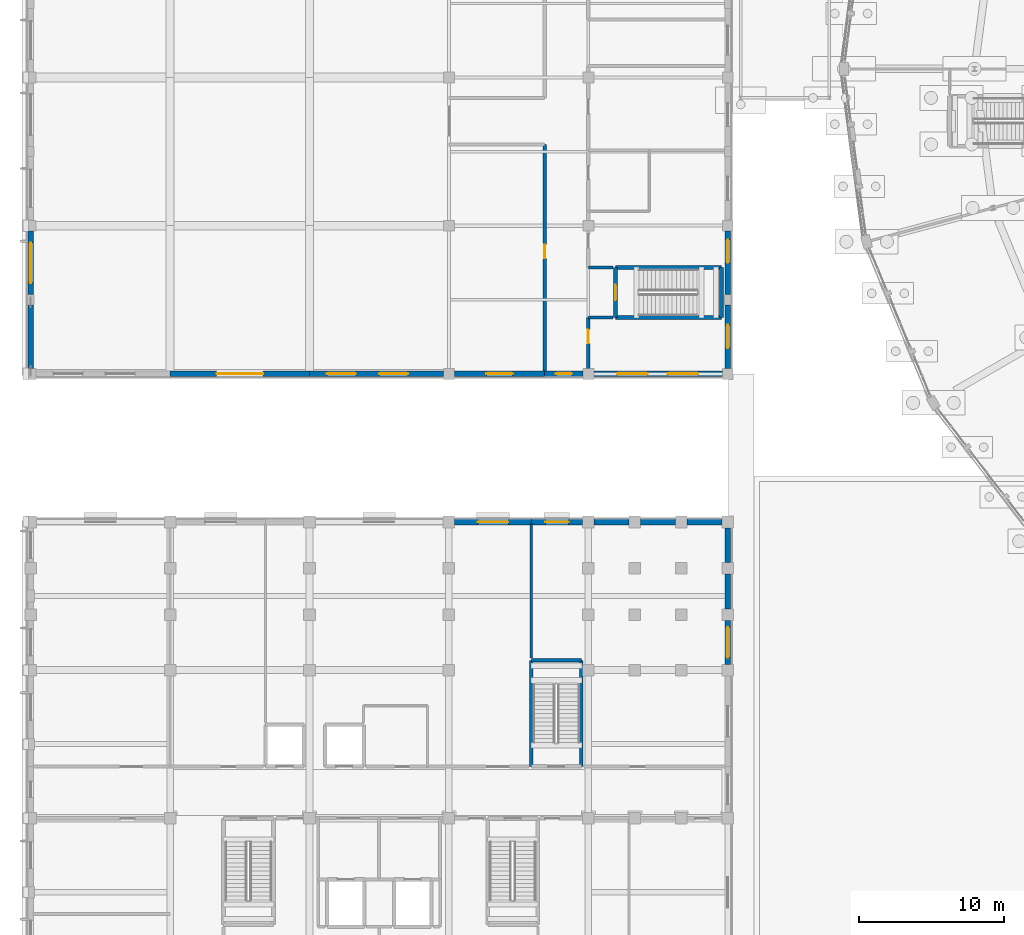
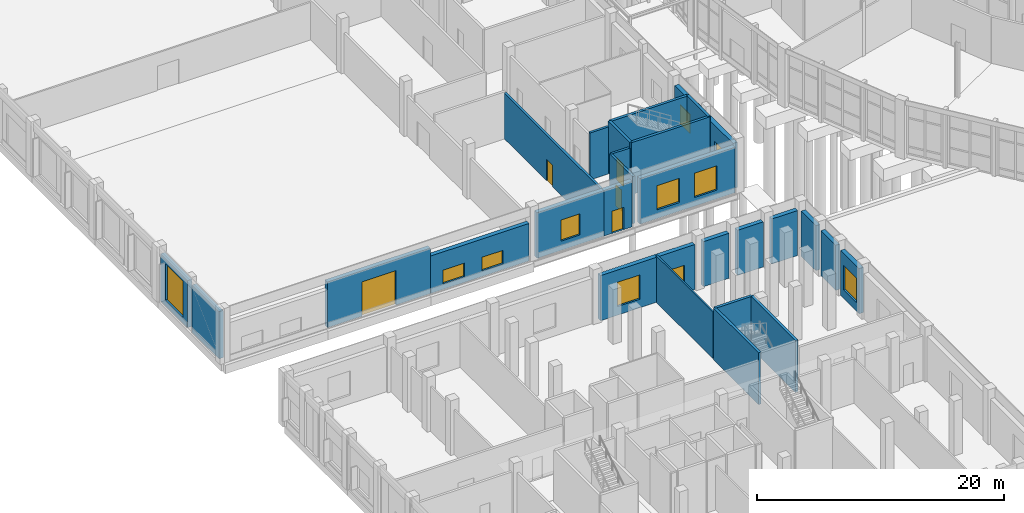
# One storey, part 103 of 137: 29 walls, 11 windows, 5 doors, 16 openings.
"""IFC4 building model written with IfcOpenShell, lengths in metres."""

from ifc_helpers import new_model, si_unit, direction, frame, frame_2d, origin, place, context, subcontext, project, spatial, rectangle, extrude, material, layer, layer_set, type_object, element, fill, save


model = new_model("IFC4")

# Units and contexts
model_context = context("Model", 3, precision=1e-05, world=origin(), true_north=direction((0.0, 1.0)))
body_context = subcontext(model_context, "Body", "Model", "MODEL_VIEW")
ifc_project = project(units=[si_unit("LENGTHUNIT", "METRE"), si_unit("AREAUNIT", "SQUARE_METRE"), si_unit("VOLUMEUNIT", "CUBIC_METRE"), si_unit("PLANEANGLEUNIT", "RADIAN"), si_unit("MASSUNIT", "GRAM", prefix="KILO")], contexts=[model_context])

# Site, building, storey
site_placement = place(None, origin())
site = spatial("IfcSite", under=ifc_project, at=site_placement, CompositionType="ELEMENT")
building_placement = place(site_placement, origin())
building = spatial("IfcBuilding", under=site, at=building_placement, Name="Vondelvale Polytechnic", CompositionType="ELEMENT")
storey_placement = place(building_placement, origin())
storey = spatial("IfcBuildingStorey", under=building, at=storey_placement, Name="L00", CompositionType="ELEMENT", Elevation=0.0)

# Walls
ifc_material_1 = material(Name="Concrete N40 (f'c = 40 MPa)", Category="concrete")
ifc_layer_1 = layer(ifc_material_1, 0.25)
ifc_layer_set_1 = layer_set([ifc_layer_1], Name="WL-CORE-250")
wall_type_1 = type_object("IfcWallType", Name="WL-CORE-250", PredefinedType="SOLIDWALL", material=ifc_layer_set_1)
wall_1_placement = place(storey_placement, frame((40.27490234375, 54.875, 0.0), z_axis=(0.0, 0.0, 1.0), x_axis=(1.0, 0.0, 0.0)))
element("IfcWall", 1, at=wall_1_placement, inside=storey, type_object=wall_type_1, Name="L00 ST-01 reinforced concrete stair core wall", PredefinedType="SOLIDWALL", context=body_context, shape_type="SweptSolid", body=[
    extrude(rectangle(XDim=7.300048828125, YDim=0.25, at=frame_2d((3.64990234375, 0.0))), origin(), (0.0, 0.0, 1.0), 5.1201171875),
])
wall_2_placement = place(storey_placement, frame((47.574951171875, 54.875, 0.0), z_axis=(0.0, 0.0, 1.0), x_axis=(0.0, 1.0, 0.0)))
element("IfcWall", 2, at=wall_2_placement, inside=storey, type_object=wall_type_1, Name="L00 ST-01 reinforced concrete stair core wall", PredefinedType="SOLIDWALL", context=body_context, shape_type="SweptSolid", body=[
    extrude(rectangle(XDim=3.449951171875, YDim=0.25, at=frame_2d((1.72509765625, 0.0))), origin(), (0.0, 0.0, 1.0), 5.1201171875),
])
wall_3_placement = place(storey_placement, frame((47.574951171875, 58.324951171875, 0.0), z_axis=(0.0, 0.0, 1.0), x_axis=(-1.0, 0.0, 0.0)))
element("IfcWall", 3, at=wall_3_placement, inside=storey, type_object=wall_type_1, Name="L00 ST-01 reinforced concrete stair core wall", PredefinedType="SOLIDWALL", context=body_context, shape_type="SweptSolid", body=[
    extrude(rectangle(XDim=7.300048828125, YDim=0.25, at=frame_2d((3.64990234375, 0.0))), origin(), (0.0, 0.0, 1.0), 5.1201171875),
])

# Wall, opening, door
wall_4_placement = place(storey_placement, frame((40.27490234375, 54.875, 0.0), z_axis=(0.0, 0.0, 1.0), x_axis=(0.0, 1.0, 0.0)))
wall_4 = element("IfcWall", 4, at=wall_4_placement, inside=storey, type_object=wall_type_1, Name="L00 ST-01 reinforced concrete stair core wall", PredefinedType="SOLIDWALL", context=body_context, shape_type="SweptSolid", body=[
    extrude(rectangle(XDim=3.449951171875, YDim=0.25, at=frame_2d((1.72509765625, 0.0))), origin(), (0.0, 0.0, 1.0), 5.1201171875),
])
opening_1_placement = place(wall_4_placement, frame((1.175048828125, 0.0, 0.0)))
opening_1 = element("IfcOpeningElement", 5, at=opening_1_placement, cuts=wall_4, Name="Opening SD-002", PredefinedType="OPENING", context=body_context, shape_type="SweptSolid", body=[
    extrude(rectangle(XDim=1.10009765625, YDim=2.199951171875, at=frame_2d((0.550048828125, 1.10009765625))), frame((0.0, 0.135009765625, 0.0), z_axis=(0.0, -1.0, 0.0), x_axis=(1.0, 0.0, 0.0)), (0.0, 0.0, 1.0), 0.27001953125),
])
ifc_material_2 = material(Name="Brushed architectural stainless and zinc-coated metal")
door_type_1 = type_object("IfcDoorType", Name="DR-STAIR-1100x2200", OperationType="SINGLE_SWING_LEFT", PredefinedType="DOOR", material=ifc_material_2)
door_1_placement = place(opening_1_placement, origin())
door_1 = element("IfcDoor", 6, at=door_1_placement, inside=storey, type_object=door_type_1, Name="L00 ST-01 fire-isolated stair door", OperationType="SINGLE_SWING_RIGHT", OverallHeight=2.199951171875, OverallWidth=1.10009765625, PredefinedType="DOOR", context=body_context, shape_type="SweptSolid", body=[
    extrude(rectangle(XDim=1.10009765625, YDim=2.199951171875, at=frame_2d((0.550048828125, 1.10009765625))), frame((0.0, 0.02490234375, 0.0), z_axis=(0.0, -1.0, 0.0), x_axis=(1.0, 0.0, 0.0)), (0.0, 0.0, 1.0), 0.050048828125),
])
fill(opening_1, door_1)

# Walls
wall_5_placement = place(storey_placement, frame((37.925048828125, 23.97509765625, 0.0), z_axis=(0.0, 0.0, 1.0), x_axis=(0.0, 1.0, 0.0)))
element("IfcWall", 7, at=wall_5_placement, inside=storey, type_object=wall_type_1, Name="L00 ST-05 reinforced concrete stair core wall", PredefinedType="SOLIDWALL", context=body_context, shape_type="SweptSolid", body=[
    extrude(rectangle(XDim=7.2998046875, YDim=0.25, at=frame_2d((3.64990234375, 0.0))), origin(), (0.0, 0.0, 1.0), 5.1201171875),
])
wall_6_placement = place(storey_placement, frame((37.925048828125, 31.27490234375, 0.0), z_axis=(0.0, 0.0, 1.0), x_axis=(-1.0, 0.0, 0.0)))
element("IfcWall", 8, at=wall_6_placement, inside=storey, type_object=wall_type_1, Name="L00 ST-05 reinforced concrete stair core wall", PredefinedType="SOLIDWALL", context=body_context, shape_type="SweptSolid", body=[
    extrude(rectangle(XDim=3.449951171875, YDim=0.25, at=frame_2d((1.72509765625, 0.0))), origin(), (0.0, 0.0, 1.0), 5.1201171875),
])
wall_7_placement = place(storey_placement, frame((34.47509765625, 31.27490234375, 0.0), z_axis=(0.0, 0.0, 1.0), x_axis=(0.0, -1.0, 0.0)))
element("IfcWall", 9, at=wall_7_placement, inside=storey, type_object=wall_type_1, Name="L00 ST-05 reinforced concrete stair core wall", PredefinedType="SOLIDWALL", context=body_context, shape_type="SweptSolid", body=[
    extrude(rectangle(XDim=7.2998046875, YDim=0.25, at=frame_2d((3.64990234375, 0.0))), origin(), (0.0, 0.0, 1.0), 5.1201171875),
])

# Wall, opening, door
ifc_material_3 = material(Name="Fire-rated double-layer plasterboard stud partition")
ifc_layer_2 = layer(ifc_material_3, 0.219970703125)
ifc_layer_set_2 = layer_set([ifc_layer_2], Name="WL-CORR-220")
wall_type_2 = type_object("IfcWallType", Name="WL-CORR-220", PredefinedType="PARTITIONING", material=ifc_layer_set_2)
wall_8_placement = place(storey_placement, frame((35.39990234375, 51.14990234375, 0.0), z_axis=(0.0, 0.0, 1.0), x_axis=(0.0, 1.0, 0.0)))
wall_8 = element("IfcWall", 10, at=wall_8_placement, inside=storey, type_object=wall_type_2, Name="L00 interior acoustic partition", PredefinedType="PARTITIONING", context=body_context, shape_type="SweptSolid", body=[
    extrude(rectangle(XDim=15.650146484375, YDim=0.219970703125, at=frame_2d((7.8251953125, 0.0))), origin(), (0.0, 0.0, 1.0), 4.492919921875),
])
opening_2_placement = place(wall_8_placement, frame((7.800048828125, 0.0, 0.0)))
opening_2 = element("IfcOpeningElement", 11, at=opening_2_placement, cuts=wall_8, Name="Opening ID-0091", PredefinedType="OPENING", context=body_context, shape_type="SweptSolid", body=[
    extrude(rectangle(XDim=0.949951171875, YDim=2.10009765625, at=frame_2d((0.47509765625, 1.050048828125))), frame((0.0, 0.119873046875, 0.0), z_axis=(0.0, -1.0, 0.0), x_axis=(1.0, 0.0, 0.0)), (0.0, 0.0, 1.0), 0.239990234375),
])
ifc_material_4 = material(Name="Fire-rated solid Tasmanian oak joinery")
door_type_2 = type_object("IfcDoorType", Name="DR-INT-0950x2100", OperationType="SINGLE_SWING_LEFT", PredefinedType="DOOR", material=ifc_material_4)
door_2_placement = place(opening_2_placement, origin())
door_2 = element("IfcDoor", 12, at=door_2_placement, inside=storey, type_object=door_type_2, Name="L00 interior room door ID-0091", OperationType="SINGLE_SWING_LEFT", OverallHeight=2.10009765625, OverallWidth=0.949951171875, PredefinedType="DOOR", context=body_context, shape_type="SweptSolid", body=[
    extrude(rectangle(XDim=0.949951171875, YDim=2.10009765625, at=frame_2d((0.47509765625, 1.050048828125))), frame((0.0, 0.02490234375, 0.0), z_axis=(0.0, -1.0, 0.0), x_axis=(1.0, 0.0, 0.0)), (0.0, 0.0, 1.0), 0.050048828125),
])
fill(opening_2, door_2)

wall_9_placement = place(storey_placement, frame((38.39990234375, 51.14990234375, 0.0), z_axis=(0.0, 0.0, 1.0), x_axis=(0.0, 1.0, 0.0)))
wall_9 = element("IfcWall", 13, at=wall_9_placement, inside=storey, type_object=wall_type_2, Name="L00 interior acoustic partition", PredefinedType="PARTITIONING", context=body_context, shape_type="SweptSolid", body=[
    extrude(rectangle(XDim=3.72509765625, YDim=0.219970703125, at=frame_2d((1.862548828125, 0.0))), origin(), (0.0, 0.0, 1.0), 4.64306640625),
])
opening_3_placement = place(wall_9_placement, frame((1.949951171875, 0.0, 0.0)))
opening_3 = element("IfcOpeningElement", 14, at=opening_3_placement, cuts=wall_9, Name="Opening ID-0095", PredefinedType="OPENING", context=body_context, shape_type="SweptSolid", body=[
    extrude(rectangle(XDim=0.949951171875, YDim=2.10009765625, at=frame_2d((0.47509765625, 1.050048828125))), frame((0.0, 0.119873046875, 0.0), z_axis=(0.0, -1.0, 0.0), x_axis=(1.0, 0.0, 0.0)), (0.0, 0.0, 1.0), 0.239990234375),
])
door_3_placement = place(opening_3_placement, origin())
door_3 = element("IfcDoor", 15, at=door_3_placement, inside=storey, type_object=door_type_2, Name="L00 interior room door ID-0095", OperationType="SINGLE_SWING_LEFT", OverallHeight=2.10009765625, OverallWidth=0.949951171875, PredefinedType="DOOR", context=body_context, shape_type="SweptSolid", body=[
    extrude(rectangle(XDim=0.949951171875, YDim=2.10009765625, at=frame_2d((0.47509765625, 1.050048828125))), frame((0.0, 0.02490234375, 0.0), z_axis=(0.0, -1.0, 0.0), x_axis=(1.0, 0.0, 0.0)), (0.0, 0.0, 1.0), 0.050048828125),
])
fill(opening_3, door_3)

# Walls
for number, where, z_axis, x_axis, name in (
    (16, (38.39990234375, 54.875, 0.0), (0.0, 0.0, 1.0), (1.0, 0.0, 0.0), "L00 interior acoustic partition"),
    (17, (38.39990234375, 58.324951171875, 0.0), (0.0, 0.0, 1.0), (1.0, 0.0, 0.0), "L00 interior acoustic partition"),
):
    element("IfcWall", number, at=place(storey_placement, frame(where, z_axis=z_axis, x_axis=x_axis)), inside=storey, type_object=wall_type_2, Name=name, PredefinedType="PARTITIONING", context=body_context, shape_type="SweptSolid", body=[
        extrude(rectangle(XDim=1.710205078125, YDim=0.219970703125, at=frame_2d((0.85498046875, 0.0))), origin(), (0.0, 0.0, 1.0), 4.64306640625),
    ])
ifc_layer_3 = layer(ifc_material_3, 0.14990234375)
ifc_layer_set_3 = layer_set([ifc_layer_3], Name="WL-INT-150")
wall_type_3 = type_object("IfcWallType", Name="WL-INT-150", PredefinedType="PARTITIONING", material=ifc_layer_set_3)
wall_10_placement = place(storey_placement, frame((34.47509765625, 31.43994140625, 0.0), z_axis=(0.0, 0.0, 1.0), x_axis=(0.0, 1.0, 0.0)))
element("IfcWall", 18, at=wall_10_placement, inside=storey, type_object=wall_type_3, Name="L00 interior acoustic partition", PredefinedType="PARTITIONING", context=body_context, shape_type="SweptSolid", body=[
    extrude(rectangle(XDim=9.2099609375, YDim=0.14990234375, at=frame_2d((4.60498046875, 0.0))), origin(), (0.0, 0.0, 1.0), 4.60009765625),
])
ifc_material_5 = material(Name="Malmsbury bluestone ashlar stone masonry", Category="masonry")
ifc_layer_4 = layer(ifc_material_5, 0.39990234375)
ifc_layer_set_4 = layer_set([ifc_layer_4], Name="WL-PLINTH-400")
wall_type_4 = type_object("IfcWallType", Name="WL-PLINTH-400", PredefinedType="SOLIDWALL", material=ifc_layer_set_4)
wall_11_placement = place(storey_placement, frame((0.0, 51.3759765625, 0.0), z_axis=(0.0, 0.0, 1.0), x_axis=(0.0, 1.0, 0.0)))
element("IfcWall", 19, at=wall_11_placement, inside=storey, type_object=wall_type_4, Name="L00 exterior masonry facade wall", PredefinedType="SOLIDWALL", context=body_context, shape_type="SweptSolid", body=[
    extrude(rectangle(XDim=4.373046875, YDim=0.39990234375, at=frame_2d((2.1865234375, 0.0))), origin(), (0.0, 0.0, 1.0), 4.64990234375),
])

# Wall, opening, window
wall_12_placement = place(storey_placement, frame((0.0, 56.450927734375, 0.0), z_axis=(0.0, 0.0, 1.0), x_axis=(0.0, 1.0, 0.0)))
wall_12 = element("IfcWall", 20, at=wall_12_placement, inside=storey, type_object=wall_type_4, Name="L00 exterior masonry facade wall", PredefinedType="SOLIDWALL", context=body_context, shape_type="SweptSolid", body=[
    extrude(rectangle(XDim=4.373046875, YDim=0.39990234375, at=frame_2d((2.1865234375, 0.0))), origin(), (0.0, 0.0, 1.0), 4.64990234375),
])
opening_4_placement = place(wall_12_placement, frame((0.78662109375, 0.0, 0.550048828125)))
opening_4 = element("IfcOpeningElement", 21, at=opening_4_placement, cuts=wall_12, Name="Opening WN-0001", PredefinedType="OPENING", context=body_context, shape_type="SweptSolid", body=[
    extrude(rectangle(XDim=2.800048828125, YDim=3.60009765625, at=frame_2d((1.39990234375, 1.800048828125))), frame((0.0, 0.2099609375, 0.0), z_axis=(0.0, -1.0, 0.0), x_axis=(1.0, 0.0, 0.0)), (0.0, 0.0, 1.0), 0.419921875),
])
ifc_material_6 = material(Name="Double-glazed low-E insulated architectural glass", Category="glass")
window_type_1 = type_object("IfcWindowType", Name="WN-WORK-2800x3600", PartitioningType="SINGLE_PANEL", PredefinedType="WINDOW", material=ifc_material_6)
window_1_placement = place(opening_4_placement, origin())
window_1 = element("IfcWindow", 22, at=window_1_placement, inside=storey, type_object=window_type_1, Name="L00 double-glazed architectural window WN-0001", OverallHeight=3.60009765625, OverallWidth=2.800048828125, PartitioningType="SINGLE_PANEL", PredefinedType="WINDOW", context=body_context, shape_type="SweptSolid", body=[
    extrude(rectangle(XDim=2.800048828125, YDim=3.60009765625, at=frame_2d((1.39990234375, 1.800048828125))), frame((0.0, 0.030029296875, 0.0), z_axis=(0.0, -1.0, 0.0), x_axis=(1.0, 0.0, 0.0)), (0.0, 0.0, 1.0), 0.06005859375),
])
fill(opening_4, window_1)

wall_13_placement = place(storey_placement, frame((48.0, 55.7490234375, 0.0), z_axis=(0.0, 0.0, 1.0), x_axis=(0.0, -1.0, 0.0)))
wall_13 = element("IfcWall", 23, at=wall_13_placement, inside=storey, type_object=wall_type_4, Name="L00 exterior masonry facade wall", PredefinedType="SOLIDWALL", context=body_context, shape_type="SweptSolid", body=[
    extrude(rectangle(XDim=4.373046875, YDim=0.39990234375, at=frame_2d((2.1865234375, 0.0))), origin(), (0.0, 0.0, 1.0), 4.449951171875),
])
opening_5_placement = place(wall_13_placement, frame((1.386474609375, 0.0, 0.949951171875)))
opening_5 = element("IfcOpeningElement", 24, at=opening_5_placement, cuts=wall_13, Name="Opening WN-0012", PredefinedType="OPENING", context=body_context, shape_type="SweptSolid", body=[
    extrude(rectangle(XDim=1.60009765625, YDim=1.89990234375, at=frame_2d((0.800048828125, 0.949951171875))), frame((0.0, 0.2099609375, 0.0), z_axis=(0.0, -1.0, 0.0), x_axis=(1.0, 0.0, 0.0)), (0.0, 0.0, 1.0), 0.419921875),
])
window_type_2 = type_object("IfcWindowType", Name="WN-SEM-1600x1900", PartitioningType="SINGLE_PANEL", PredefinedType="WINDOW", material=ifc_material_6)
window_2_placement = place(opening_5_placement, origin())
window_2 = element("IfcWindow", 25, at=window_2_placement, inside=storey, type_object=window_type_2, Name="L00 double-glazed architectural window WN-0012", OverallHeight=1.89990234375, OverallWidth=1.60009765625, PartitioningType="SINGLE_PANEL", PredefinedType="WINDOW", context=body_context, shape_type="SweptSolid", body=[
    extrude(rectangle(XDim=1.60009765625, YDim=1.89990234375, at=frame_2d((0.800048828125, 0.949951171875))), frame((0.0, 0.030029296875, 0.0), z_axis=(0.0, -1.0, 0.0), x_axis=(1.0, 0.0, 0.0)), (0.0, 0.0, 1.0), 0.06005859375),
])
fill(opening_5, window_2)

wall_14_placement = place(storey_placement, frame((48.0, 60.823974609375, 0.0), z_axis=(0.0, 0.0, 1.0), x_axis=(0.0, -1.0, 0.0)))
wall_14 = element("IfcWall", 26, at=wall_14_placement, inside=storey, type_object=wall_type_4, Name="L00 exterior masonry facade wall", PredefinedType="SOLIDWALL", context=body_context, shape_type="SweptSolid", body=[
    extrude(rectangle(XDim=4.373046875, YDim=0.39990234375, at=frame_2d((2.1865234375, 0.0))), origin(), (0.0, 0.0, 1.0), 4.449951171875),
])
opening_6_placement = place(wall_14_placement, frame((0.5791015625, 0.0, 0.949951171875)))
opening_6 = element("IfcOpeningElement", 27, at=opening_6_placement, cuts=wall_14, Name="Opening WN-0013", PredefinedType="OPENING", context=body_context, shape_type="SweptSolid", body=[
    extrude(rectangle(XDim=1.60009765625, YDim=1.89990234375, at=frame_2d((0.800048828125, 0.949951171875))), frame((0.0, 0.2099609375, 0.0), z_axis=(0.0, -1.0, 0.0), x_axis=(1.0, 0.0, 0.0)), (0.0, 0.0, 1.0), 0.419921875),
])
window_3_placement = place(opening_6_placement, origin())
window_3 = element("IfcWindow", 28, at=window_3_placement, inside=storey, type_object=window_type_2, Name="L00 double-glazed architectural window WN-0013", OverallHeight=1.89990234375, OverallWidth=1.60009765625, PartitioningType="SINGLE_PANEL", PredefinedType="WINDOW", context=body_context, shape_type="SweptSolid", body=[
    extrude(rectangle(XDim=1.60009765625, YDim=1.89990234375, at=frame_2d((0.800048828125, 0.949951171875))), frame((0.0, 0.030029296875, 0.0), z_axis=(0.0, -1.0, 0.0), x_axis=(1.0, 0.0, 0.0)), (0.0, 0.0, 1.0), 0.06005859375),
])
fill(opening_6, window_3)

# Wall, opening, door
wall_15_placement = place(storey_placement, frame((19.199951171875, 51.0, 0.0), z_axis=(0.0, 0.0, 1.0), x_axis=(-1.0, 0.0, 0.0)))
wall_15 = element("IfcWall", 29, at=wall_15_placement, inside=storey, type_object=wall_type_4, Name="L00 exterior masonry facade wall", PredefinedType="SOLIDWALL", context=body_context, shape_type="SweptSolid", body=[
    extrude(rectangle(XDim=9.599853515625, YDim=0.39990234375, at=frame_2d((4.7998046875, 0.0))), origin(), (0.0, 0.0, 1.0), 4.5),
])
opening_7_placement = place(wall_15_placement, frame((3.199951171875, 0.0, 0.0)))
opening_7 = element("IfcOpeningElement", 30, at=opening_7_placement, cuts=wall_15, Name="Opening ED-003", PredefinedType="OPENING", context=body_context, shape_type="SweptSolid", body=[
    extrude(rectangle(XDim=3.199951171875, YDim=3.39990234375, at=frame_2d((1.60009765625, 1.699951171875))), frame((0.0, 0.2099609375, 0.0), z_axis=(0.0, -1.0, 0.0), x_axis=(1.0, 0.0, 0.0)), (0.0, 0.0, 1.0), 0.419921875),
])
door_type_3 = type_object("IfcDoorType", Name="DR-LOAD-3200x3400", OperationType="ROLLINGUP", PredefinedType="GATE", material=ifc_material_2)
door_4_placement = place(opening_7_placement, origin())
door_4 = element("IfcDoor", 31, at=door_4_placement, inside=storey, type_object=door_type_3, Name="L00 exterior entrance/exit door ED-003", OperationType="ROLLINGUP", OverallHeight=3.39990234375, OverallWidth=3.199951171875, PredefinedType="GATE", context=body_context, shape_type="SweptSolid", body=[
    extrude(rectangle(XDim=3.199951171875, YDim=3.39990234375, at=frame_2d((1.60009765625, 1.699951171875))), frame((0.0, 0.02490234375, 0.0), z_axis=(0.0, -1.0, 0.0), x_axis=(1.0, 0.0, 0.0)), (0.0, 0.0, 1.0), 0.050048828125),
])
fill(opening_7, door_4)

# Wall, openings, windows
wall_16_placement = place(storey_placement, frame((28.424072265625, 51.0, 0.0), z_axis=(0.0, 0.0, 1.0), x_axis=(-1.0, 0.0, 0.0)))
wall_16 = element("IfcWall", 32, at=wall_16_placement, inside=storey, type_object=wall_type_4, Name="L00 exterior masonry facade wall", PredefinedType="SOLIDWALL", context=body_context, shape_type="SweptSolid", body=[
    extrude(rectangle(XDim=9.22412109375, YDim=0.39990234375, at=frame_2d((4.612060546875, 0.0))), origin(), (0.0, 0.0, 1.0), 3.699951171875),
])
opening_8_placement = place(wall_16_placement, frame((6.02392578125, 0.0, 0.550048828125)))
opening_8 = element("IfcOpeningElement", 33, at=opening_8_placement, cuts=wall_16, Name="Opening WN-0027", PredefinedType="OPENING", context=body_context, shape_type="SweptSolid", body=[
    extrude(rectangle(XDim=2.0, YDim=1.35009765625, at=frame_2d((1.0, 0.675048828125))), frame((0.0, 0.2099609375, 0.0), z_axis=(0.0, -1.0, 0.0), x_axis=(1.0, 0.0, 0.0)), (0.0, 0.0, 1.0), 0.419921875),
])
opening_9_placement = place(wall_16_placement, frame((2.424072265625, 0.0, 0.550048828125)))
opening_9 = element("IfcOpeningElement", 34, at=opening_9_placement, cuts=wall_16, Name="Opening WN-0028", PredefinedType="OPENING", context=body_context, shape_type="SweptSolid", body=[
    extrude(rectangle(XDim=2.0, YDim=1.35009765625, at=frame_2d((1.0, 0.675048828125))), frame((0.0, 0.2099609375, 0.0), z_axis=(0.0, -1.0, 0.0), x_axis=(1.0, 0.0, 0.0)), (0.0, 0.0, 1.0), 0.419921875),
])
window_type_3 = type_object("IfcWindowType", Name="WN-RIB-2000x1350", PartitioningType="SINGLE_PANEL", PredefinedType="WINDOW", material=ifc_material_6)
window_4_placement = place(opening_8_placement, origin())
window_4 = element("IfcWindow", 35, at=window_4_placement, inside=storey, type_object=window_type_3, Name="L00 double-glazed architectural window WN-0027", OverallHeight=1.35009765625, OverallWidth=2.0, PartitioningType="SINGLE_PANEL", PredefinedType="WINDOW", context=body_context, shape_type="SweptSolid", body=[
    extrude(rectangle(XDim=2.0, YDim=1.35009765625, at=frame_2d((1.0, 0.675048828125))), frame((0.0, 0.030029296875, 0.0), z_axis=(0.0, -1.0, 0.0), x_axis=(1.0, 0.0, 0.0)), (0.0, 0.0, 1.0), 0.06005859375),
])
fill(opening_8, window_4)
window_5_placement = place(opening_9_placement, origin())
window_5 = element("IfcWindow", 36, at=window_5_placement, inside=storey, type_object=window_type_3, Name="L00 double-glazed architectural window WN-0028", OverallHeight=1.35009765625, OverallWidth=2.0, PartitioningType="SINGLE_PANEL", PredefinedType="WINDOW", context=body_context, shape_type="SweptSolid", body=[
    extrude(rectangle(XDim=2.0, YDim=1.35009765625, at=frame_2d((1.0, 0.675048828125))), frame((0.0, 0.030029296875, 0.0), z_axis=(0.0, -1.0, 0.0), x_axis=(1.0, 0.0, 0.0)), (0.0, 0.0, 1.0), 0.06005859375),
])
fill(opening_9, window_5)

# Wall, opening, window
wall_17_placement = place(storey_placement, frame((35.39990234375, 51.0, 0.0), z_axis=(0.0, 0.0, 1.0), x_axis=(-1.0, 0.0, 0.0)))
wall_17 = element("IfcWall", 37, at=wall_17_placement, inside=storey, type_object=wall_type_4, Name="L00 exterior masonry facade wall", PredefinedType="SOLIDWALL", context=body_context, shape_type="SweptSolid", body=[
    extrude(rectangle(XDim=6.223876953125, YDim=0.39990234375, at=frame_2d((3.11181640625, 0.0))), origin(), (0.0, 0.0, 1.0), 4.492919921875),
])
opening_10_placement = place(wall_17_placement, frame((2.2119140625, 0.0, 0.89990234375)))
opening_10 = element("IfcOpeningElement", 38, at=opening_10_placement, cuts=wall_17, Name="Opening WN-0029", PredefinedType="OPENING", context=body_context, shape_type="SweptSolid", body=[
    extrude(rectangle(XDim=1.800048828125, YDim=2.10009765625, at=frame_2d((0.89990234375, 1.050048828125))), frame((0.0, 0.2099609375, 0.0), z_axis=(0.0, -1.0, 0.0), x_axis=(1.0, 0.0, 0.0)), (0.0, 0.0, 1.0), 0.419921875),
])
window_type_4 = type_object("IfcWindowType", Name="WN-LAB-1800x2100", PartitioningType="SINGLE_PANEL", PredefinedType="WINDOW", material=ifc_material_6)
window_6_placement = place(opening_10_placement, origin())
window_6 = element("IfcWindow", 39, at=window_6_placement, inside=storey, type_object=window_type_4, Name="L00 double-glazed architectural window WN-0029", OverallHeight=2.10009765625, OverallWidth=1.800048828125, PartitioningType="SINGLE_PANEL", PredefinedType="WINDOW", context=body_context, shape_type="SweptSolid", body=[
    extrude(rectangle(XDim=1.800048828125, YDim=2.10009765625, at=frame_2d((0.89990234375, 1.050048828125))), frame((0.0, 0.030029296875, 0.0), z_axis=(0.0, -1.0, 0.0), x_axis=(1.0, 0.0, 0.0)), (0.0, 0.0, 1.0), 0.06005859375),
])
fill(opening_10, window_6)

# Wall, opening, door
wall_18_placement = place(storey_placement, frame((38.02392578125, 51.0, 0.0), z_axis=(0.0, 0.0, 1.0), x_axis=(-1.0, 0.0, 0.0)))
wall_18 = element("IfcWall", 40, at=wall_18_placement, inside=storey, type_object=wall_type_4, Name="L00 exterior masonry facade wall", PredefinedType="SOLIDWALL", context=body_context, shape_type="SweptSolid", body=[
    extrude(rectangle(XDim=2.6240234375, YDim=0.39990234375, at=frame_2d((1.31201171875, 0.0))), origin(), (0.0, 0.0, 1.0), 4.492919921875),
])
opening_11_placement = place(wall_18_placement, frame((0.761962890625, 0.0, 0.0)))
opening_11 = element("IfcOpeningElement", 41, at=opening_11_placement, cuts=wall_18, Name="Opening ED-004", PredefinedType="OPENING", context=body_context, shape_type="SweptSolid", body=[
    extrude(rectangle(XDim=1.10009765625, YDim=2.199951171875, at=frame_2d((0.550048828125, 1.10009765625))), frame((0.0, 0.2099609375, 0.0), z_axis=(0.0, -1.0, 0.0), x_axis=(1.0, 0.0, 0.0)), (0.0, 0.0, 1.0), 0.419921875),
])
ifc_material_7 = material(Name="Anodised extruded aluminium 6063-T6", Category="aluminium")
door_type_4 = type_object("IfcDoorType", Name="DR-EXT-1100x2200", OperationType="SINGLE_SWING_LEFT", PredefinedType="DOOR", material=ifc_material_7)
door_5_placement = place(opening_11_placement, origin())
door_5 = element("IfcDoor", 42, at=door_5_placement, inside=storey, type_object=door_type_4, Name="L00 exterior entrance/exit door ED-004", OperationType="SINGLE_SWING_RIGHT", OverallHeight=2.199951171875, OverallWidth=1.10009765625, PredefinedType="DOOR", context=body_context, shape_type="SweptSolid", body=[
    extrude(rectangle(XDim=1.10009765625, YDim=2.199951171875, at=frame_2d((0.550048828125, 1.10009765625))), frame((0.0, 0.02490234375, 0.0), z_axis=(0.0, -1.0, 0.0), x_axis=(1.0, 0.0, 0.0)), (0.0, 0.0, 1.0), 0.050048828125),
])
fill(opening_11, door_5)

# Wall, openings, windows
wall_19_placement = place(storey_placement, frame((47.6240234375, 51.0, 0.0), z_axis=(0.0, 0.0, 1.0), x_axis=(-1.0, 0.0, 0.0)))
wall_19 = element("IfcWall", 43, at=wall_19_placement, inside=storey, type_object=wall_type_4, Name="L00 exterior masonry facade wall", PredefinedType="SOLIDWALL", context=body_context, shape_type="SweptSolid", body=[
    extrude(rectangle(XDim=8.84814453125, YDim=0.39990234375, at=frame_2d((4.424072265625, 0.0))), origin(), (0.0, 0.0, 1.0), 4.5),
])
opening_12_placement = place(wall_19_placement, frame((5.14794921875, 0.0, 0.85009765625)))
opening_12 = element("IfcOpeningElement", 44, at=opening_12_placement, cuts=wall_19, Name="Opening WN-0030", PredefinedType="OPENING", context=body_context, shape_type="SweptSolid", body=[
    extrude(rectangle(XDim=2.10009765625, YDim=2.39990234375, at=frame_2d((1.050048828125, 1.199951171875))), frame((0.0, 0.2099609375, 0.0), z_axis=(0.0, -1.0, 0.0), x_axis=(1.0, 0.0, 0.0)), (0.0, 0.0, 1.0), 0.419921875),
])
opening_13_placement = place(wall_19_placement, frame((1.64794921875, 0.0, 0.85009765625)))
opening_13 = element("IfcOpeningElement", 45, at=opening_13_placement, cuts=wall_19, Name="Opening WN-0031", PredefinedType="OPENING", context=body_context, shape_type="SweptSolid", body=[
    extrude(rectangle(XDim=2.10009765625, YDim=2.39990234375, at=frame_2d((1.050048828125, 1.199951171875))), frame((0.0, 0.2099609375, 0.0), z_axis=(0.0, -1.0, 0.0), x_axis=(1.0, 0.0, 0.0)), (0.0, 0.0, 1.0), 0.419921875),
])
window_type_5 = type_object("IfcWindowType", Name="WN-STUDIO-2100x2400", PartitioningType="SINGLE_PANEL", PredefinedType="WINDOW", material=ifc_material_6)
window_7_placement = place(opening_12_placement, origin())
window_7 = element("IfcWindow", 46, at=window_7_placement, inside=storey, type_object=window_type_5, Name="L00 double-glazed architectural window WN-0030", OverallHeight=2.39990234375, OverallWidth=2.10009765625, PartitioningType="SINGLE_PANEL", PredefinedType="WINDOW", context=body_context, shape_type="SweptSolid", body=[
    extrude(rectangle(XDim=2.10009765625, YDim=2.39990234375, at=frame_2d((1.050048828125, 1.199951171875))), frame((0.0, 0.030029296875, 0.0), z_axis=(0.0, -1.0, 0.0), x_axis=(1.0, 0.0, 0.0)), (0.0, 0.0, 1.0), 0.06005859375),
])
fill(opening_12, window_7)
window_8_placement = place(opening_13_placement, origin())
window_8 = element("IfcWindow", 47, at=window_8_placement, inside=storey, type_object=window_type_5, Name="L00 double-glazed architectural window WN-0031", OverallHeight=2.39990234375, OverallWidth=2.10009765625, PartitioningType="SINGLE_PANEL", PredefinedType="WINDOW", context=body_context, shape_type="SweptSolid", body=[
    extrude(rectangle(XDim=2.10009765625, YDim=2.39990234375, at=frame_2d((1.050048828125, 1.199951171875))), frame((0.0, 0.030029296875, 0.0), z_axis=(0.0, -1.0, 0.0), x_axis=(1.0, 0.0, 0.0)), (0.0, 0.0, 1.0), 0.06005859375),
])
fill(opening_13, window_8)

# Walls
for number, where, z_axis, x_axis, name in (
    (48, (48.0, 40.39892578125, 0.0), (0.0, 0.0, 1.0), (0.0, -1.0, 0.0), "L00 exterior masonry facade wall"),
    (49, (48.0, 37.198974609375, 0.0), (0.0, 0.0, 1.0), (0.0, -1.0, 0.0), "L00 exterior masonry facade wall"),
):
    element("IfcWall", number, at=place(storey_placement, frame(where, z_axis=z_axis, x_axis=x_axis)), inside=storey, type_object=wall_type_4, Name=name, PredefinedType="SOLIDWALL", context=body_context, shape_type="SweptSolid", body=[
        extrude(rectangle(XDim=2.39794921875, YDim=0.39990234375, at=frame_2d((1.198974609375, 0.0))), origin(), (0.0, 0.0, 1.0), 4.449951171875),
    ])

# Wall, opening, window
wall_20_placement = place(storey_placement, frame((48.0, 33.9990234375, 0.0), z_axis=(0.0, 0.0, 1.0), x_axis=(0.0, -1.0, 0.0)))
wall_20 = element("IfcWall", 50, at=wall_20_placement, inside=storey, type_object=wall_type_4, Name="L00 exterior masonry facade wall", PredefinedType="SOLIDWALL", context=body_context, shape_type="SweptSolid", body=[
    extrude(rectangle(XDim=2.998046875, YDim=0.39990234375, at=frame_2d((1.4990234375, 0.0))), origin(), (0.0, 0.0, 1.0), 4.449951171875),
])
opening_14_placement = place(wall_20_placement, frame((0.448974609375, 0.0, 0.85009765625)))
opening_14 = element("IfcOpeningElement", 51, at=opening_14_placement, cuts=wall_20, Name="Opening WN-0150", PredefinedType="OPENING", context=body_context, shape_type="SweptSolid", body=[
    extrude(rectangle(XDim=2.10009765625, YDim=2.39990234375, at=frame_2d((1.050048828125, 1.199951171875))), frame((0.0, 0.2099609375, 0.0), z_axis=(0.0, -1.0, 0.0), x_axis=(1.0, 0.0, 0.0)), (0.0, 0.0, 1.0), 0.419921875),
])
window_9_placement = place(opening_14_placement, origin())
window_9 = element("IfcWindow", 52, at=window_9_placement, inside=storey, type_object=window_type_5, Name="L00 double-glazed architectural window WN-0150", OverallHeight=2.39990234375, OverallWidth=2.10009765625, PartitioningType="SINGLE_PANEL", PredefinedType="WINDOW", context=body_context, shape_type="SweptSolid", body=[
    extrude(rectangle(XDim=2.10009765625, YDim=2.39990234375, at=frame_2d((1.050048828125, 1.199951171875))), frame((0.0, 0.030029296875, 0.0), z_axis=(0.0, -1.0, 0.0), x_axis=(1.0, 0.0, 0.0)), (0.0, 0.0, 1.0), 0.06005859375),
])
fill(opening_14, window_9)

wall_21_placement = place(storey_placement, frame((29.200927734375, 40.800048828125, 0.0), z_axis=(0.0, 0.0, 1.0), x_axis=(1.0, 0.0, 0.0)))
wall_21 = element("IfcWall", 53, at=wall_21_placement, inside=storey, type_object=wall_type_4, Name="L00 exterior masonry facade wall", PredefinedType="SOLIDWALL", context=body_context, shape_type="SweptSolid", body=[
    extrude(rectangle(XDim=5.274169921875, YDim=0.39990234375, at=frame_2d((2.63720703125, 0.0))), origin(), (0.0, 0.0, 1.0), 4.449951171875),
])
opening_15_placement = place(wall_21_placement, frame((1.5869140625, 0.0, 0.85009765625)))
opening_15 = element("IfcOpeningElement", 54, at=opening_15_placement, cuts=wall_21, Name="Opening WN-0154", PredefinedType="OPENING", context=body_context, shape_type="SweptSolid", body=[
    extrude(rectangle(XDim=2.10009765625, YDim=2.39990234375, at=frame_2d((1.050048828125, 1.199951171875))), frame((0.0, 0.2099609375, 0.0), z_axis=(0.0, -1.0, 0.0), x_axis=(1.0, 0.0, 0.0)), (0.0, 0.0, 1.0), 0.419921875),
])
window_10_placement = place(opening_15_placement, origin())
window_10 = element("IfcWindow", 55, at=window_10_placement, inside=storey, type_object=window_type_5, Name="L00 double-glazed architectural window WN-0154", OverallHeight=2.39990234375, OverallWidth=2.10009765625, PartitioningType="SINGLE_PANEL", PredefinedType="WINDOW", context=body_context, shape_type="SweptSolid", body=[
    extrude(rectangle(XDim=2.10009765625, YDim=2.39990234375, at=frame_2d((1.050048828125, 1.199951171875))), frame((0.0, 0.030029296875, 0.0), z_axis=(0.0, -1.0, 0.0), x_axis=(1.0, 0.0, 0.0)), (0.0, 0.0, 1.0), 0.06005859375),
])
fill(opening_15, window_10)

wall_22_placement = place(storey_placement, frame((34.47509765625, 40.800048828125, 0.0), z_axis=(0.0, 0.0, 1.0), x_axis=(1.0, 0.0, 0.0)))
wall_22 = element("IfcWall", 56, at=wall_22_placement, inside=storey, type_object=wall_type_4, Name="L00 exterior masonry facade wall", PredefinedType="SOLIDWALL", context=body_context, shape_type="SweptSolid", body=[
    extrude(rectangle(XDim=3.52392578125, YDim=0.39990234375, at=frame_2d((1.761962890625, 0.0))), origin(), (0.0, 0.0, 1.0), 4.449951171875),
])
opening_16_placement = place(wall_22_placement, frame((0.9619140625, 0.0, 0.85009765625)))
opening_16 = element("IfcOpeningElement", 57, at=opening_16_placement, cuts=wall_22, Name="Opening WN-0155", PredefinedType="OPENING", context=body_context, shape_type="SweptSolid", body=[
    extrude(rectangle(XDim=1.60009765625, YDim=1.89990234375, at=frame_2d((0.800048828125, 0.949951171875))), frame((0.0, 0.2099609375, 0.0), z_axis=(0.0, -1.0, 0.0), x_axis=(1.0, 0.0, 0.0)), (0.0, 0.0, 1.0), 0.419921875),
])
window_11_placement = place(opening_16_placement, origin())
window_11 = element("IfcWindow", 58, at=window_11_placement, inside=storey, type_object=window_type_2, Name="L00 double-glazed architectural window WN-0155", OverallHeight=1.89990234375, OverallWidth=1.60009765625, PartitioningType="SINGLE_PANEL", PredefinedType="WINDOW", context=body_context, shape_type="SweptSolid", body=[
    extrude(rectangle(XDim=1.60009765625, YDim=1.89990234375, at=frame_2d((0.800048828125, 0.949951171875))), frame((0.0, 0.030029296875, 0.0), z_axis=(0.0, -1.0, 0.0), x_axis=(1.0, 0.0, 0.0)), (0.0, 0.0, 1.0), 0.06005859375),
])
fill(opening_16, window_11)

# Walls
for number, where, z_axis, x_axis, name in (
    (59, (38.801025390625, 40.800048828125, 0.0), (0.0, 0.0, 1.0), (1.0, 0.0, 0.0), "L00 exterior masonry facade wall"),
    (60, (42.0009765625, 40.800048828125, 0.0), (0.0, 0.0, 1.0), (1.0, 0.0, 0.0), "L00 exterior masonry facade wall"),
):
    element("IfcWall", number, at=place(storey_placement, frame(where, z_axis=z_axis, x_axis=x_axis)), inside=storey, type_object=wall_type_4, Name=name, PredefinedType="SOLIDWALL", context=body_context, shape_type="SweptSolid", body=[
        extrude(rectangle(XDim=2.39794921875, YDim=0.39990234375, at=frame_2d((1.198974609375, 0.0))), origin(), (0.0, 0.0, 1.0), 4.449951171875),
    ])
wall_23_placement = place(storey_placement, frame((45.200927734375, 40.800048828125, 0.0), z_axis=(0.0, 0.0, 1.0), x_axis=(1.0, 0.0, 0.0)))
element("IfcWall", 61, at=wall_23_placement, inside=storey, type_object=wall_type_4, Name="L00 exterior masonry facade wall", PredefinedType="SOLIDWALL", context=body_context, shape_type="SweptSolid", body=[
    extrude(rectangle(XDim=2.398193359375, YDim=0.39990234375, at=frame_2d((1.19921875, 0.0))), origin(), (0.0, 0.0, 1.0), 4.449951171875),
])

save(model, "model.ifc")
